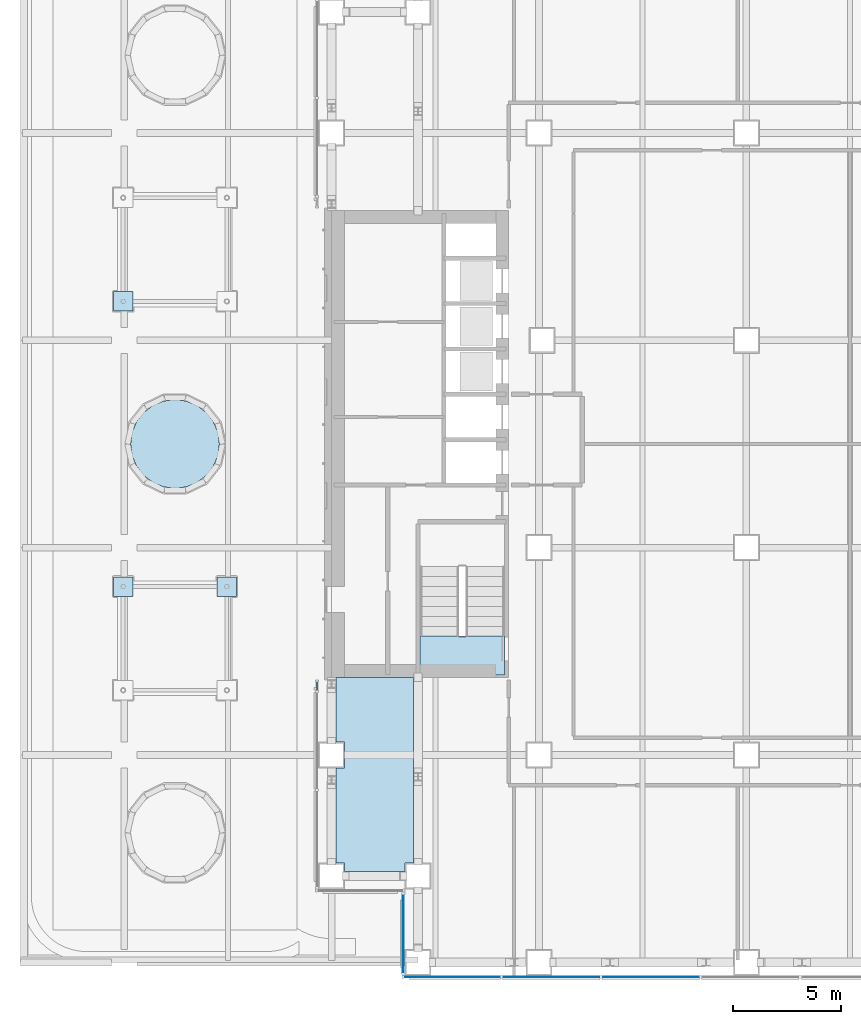
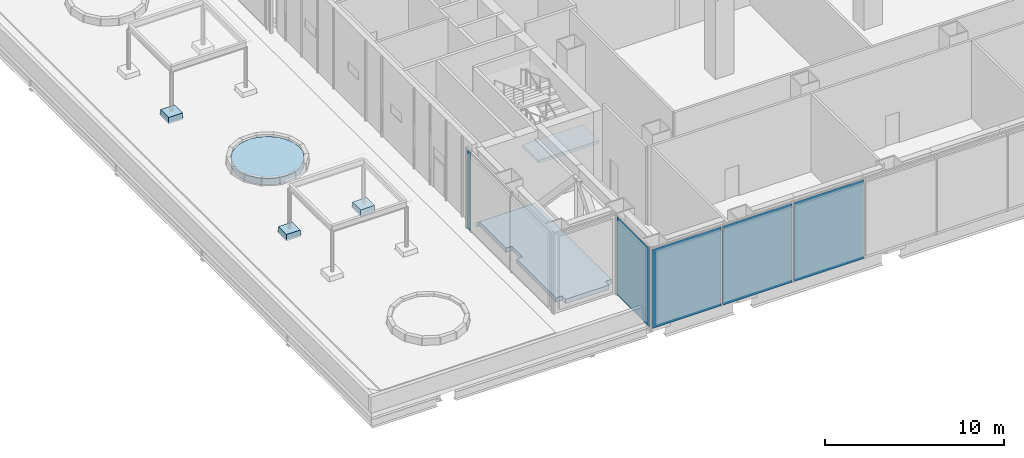
# One storey, part 17 of 39: 6 slabs, 5 plates, 4 elements without a shape of their own.
"""IFC4 building model written with IfcOpenShell, lengths in metres."""

from ifc_helpers import new_model, si_unit, direction, frame, origin, origin_2d, place, context, subcontext, project, spatial, polyline, rectangle, outline, extrude, material, layer, layer_set, type_object, element, aggregate, save


model = new_model("IFC4")

# Units and contexts
model_context = context("Model", 3, precision=1e-05, world=origin(), true_north=direction((0.0, 1.0)))
body_context = subcontext(model_context, "Body", "Model", "MODEL_VIEW")
ifc_project = project(units=[si_unit("LENGTHUNIT", "METRE"), si_unit("AREAUNIT", "SQUARE_METRE"), si_unit("VOLUMEUNIT", "CUBIC_METRE"), si_unit("PLANEANGLEUNIT", "RADIAN"), si_unit("MASSUNIT", "GRAM", prefix="KILO")], contexts=[model_context])

# Site, building, storey
site_placement = place(None, origin())
site = spatial("IfcSite", under=ifc_project, at=site_placement, CompositionType="ELEMENT")
building_placement = place(site_placement, origin())
building = spatial("IfcBuilding", under=site, at=building_placement, Name="Cobrizo Arcos Hotel Tower", CompositionType="ELEMENT")
storey_placement = place(building_placement, frame((0.0, 0.0, 33.5)))
storey = spatial("IfcBuildingStorey", under=building, at=storey_placement, Name="L06", CompositionType="ELEMENT", Elevation=33.5)

# Curtain wall, plates
ifc_material_1 = material(Name="Aluminium 6063-T6 anodised bronze", Category="aluminium")
curtain_wall_type = type_object("IfcCurtainWallType", Name="CW-D plant louvre wall", PredefinedType="NOTDEFINED", material=ifc_material_1)
curtain_wall_1_placement = place(storey_placement, origin())
curtain_wall_1 = element("IfcCurtainWall", 1, at=curtain_wall_1_placement, inside=storey, type_object=curtain_wall_type, Name="CW-D L06 S face", PredefinedType="NOTDEFINED")
ifc_material_2 = material(Name="Aluminium composite panel pale metal", Category="aluminium")
ifc_layer_1 = layer(ifc_material_2, 0.06005859375)
ifc_layer_set_1 = layer_set([ifc_layer_1], Name="CW-D spandrel panel")
plate_type = type_object("IfcPlateType", Name="CW-D spandrel panel", PredefinedType="CURTAIN_PANEL", material=ifc_layer_set_1)
plate_1_placement = place(storey_placement, frame((-18.41943359375, -24.675048828125, 0.0), z_axis=(0.0, 0.0, 1.0), x_axis=(1.0, 0.0, 0.0)))
plate_1 = element("IfcPlate", 2, at=plate_1_placement, type_object=plate_type, Name="CW-D insulated panel 323", PredefinedType="CURTAIN_PANEL", context=body_context, shape_type="SweptSolid", body=[
    extrude(rectangle(XDim=4.461181640625, YDim=0.0400390625, at=origin_2d()), origin(), (0.0, 0.0, 1.0), 5.39990234375),
])
plate_2_placement = place(storey_placement, frame((-13.833251953125, -24.675048828125, 0.0), z_axis=(0.0, 0.0, 1.0), x_axis=(1.0, 0.0, 0.0)))
plate_2 = element("IfcPlate", 3, at=plate_2_placement, type_object=plate_type, Name="CW-D insulated panel 324", PredefinedType="CURTAIN_PANEL", context=body_context, shape_type="SweptSolid", body=[
    extrude(rectangle(XDim=4.51123046875, YDim=0.0400390625, at=origin_2d()), origin(), (0.0, 0.0, 1.0), 5.39990234375),
])
plate_3_placement = place(storey_placement, frame((-9.22216796875, -24.675048828125, 0.0), z_axis=(0.0, 0.0, 1.0), x_axis=(1.0, 0.0, 0.0)))
plate_3 = element("IfcPlate", 4, at=plate_3_placement, type_object=plate_type, Name="CW-D insulated panel 325", PredefinedType="CURTAIN_PANEL", context=body_context, shape_type="SweptSolid", body=[
    extrude(rectangle(XDim=4.51123046875, YDim=0.0400390625, at=origin_2d()), origin(), (0.0, 0.0, 1.0), 5.39990234375),
])
aggregate(curtain_wall_1, [plate_1, plate_2, plate_3])

# Curtain wall, plate
curtain_wall_2_placement = place(storey_placement, origin())
curtain_wall_2 = element("IfcCurtainWall", 5, at=curtain_wall_2_placement, inside=storey, type_object=curtain_wall_type, Name="CW-D L06 W face", PredefinedType="NOTDEFINED")
plate_4_placement = place(storey_placement, frame((-24.675048828125, -11.20947265625, 0.0), z_axis=(0.0, 0.0, 1.0), x_axis=(0.0, -1.0, 0.0)))
plate_4 = element("IfcPlate", 6, at=plate_4_placement, type_object=plate_type, Name="CW-D insulated panel 356", PredefinedType="CURTAIN_PANEL", context=body_context, shape_type="SweptSolid", body=[
    extrude(rectangle(XDim=0.3701171875, YDim=0.0400390625, at=origin_2d()), origin(), (0.0, 0.0, 1.0), 5.39990234375),
])
aggregate(curtain_wall_2, [plate_4])

curtain_wall_3_placement = place(storey_placement, origin())
curtain_wall_3 = element("IfcCurtainWall", 7, at=curtain_wall_3_placement, inside=storey, type_object=curtain_wall_type, Name="CW-D L06 W face", PredefinedType="NOTDEFINED")
plate_5_placement = place(storey_placement, frame((-20.675048828125, -22.675048828125, 0.0), z_axis=(0.0, 0.0, 1.0), x_axis=(0.0, -1.0, 0.0)))
plate_5 = element("IfcPlate", 8, at=plate_5_placement, type_object=plate_type, Name="CW-D insulated panel 360", PredefinedType="CURTAIN_PANEL", context=body_context, shape_type="SweptSolid", body=[
    extrude(rectangle(XDim=3.64990234375, YDim=0.0400390625, at=origin_2d()), origin(), (0.0, 0.0, 1.0), 5.39990234375),
])
aggregate(curtain_wall_3, [plate_5])

# Slabs
ifc_material_3 = material(Name="Concrete f'c 35 MPa", Category="concrete")
ifc_layer_2 = layer(ifc_material_3, 0.300048828125)
ifc_layer_set_2 = layer_set([ifc_layer_2], Name="Composite floor slab 300 f'c 35")
slab_type_1 = type_object("IfcSlabType", Name="Composite floor slab 300 f'c 35", PredefinedType="FLOOR", material=ifc_layer_set_2)
slab_1_placement = place(storey_placement, frame((0.0, 0.0, -0.300048828125)))
element("IfcSlab", 9, at=slab_1_placement, inside=storey, type_object=slab_type_1, Name="Floor slab S2, L06, no. 04", PredefinedType="FLOOR", context=body_context, shape_type="SweptSolid", body=[
    extrude(outline(polyline([(-24.0, -10.800048828125), (-20.200439453125, -10.800048828125), (-20.200439453125, -19.39990234375), (-20.60009765625, -19.39990234375), (-20.60009765625, -19.799560546875), (-23.39990234375, -19.799560546875), (-23.39990234375, -19.39990234375), (-23.799560546875, -19.39990234375), (-23.799560546875, -15.0), (-23.39990234375, -15.0), (-23.39990234375, -13.800048828125), (-23.799560546875, -13.800048828125), (-23.799560546875, -10.801025390625), (-24.0, -10.801025390625), (-24.0, -10.800048828125)])), origin(), (0.0, 0.0, 1.0), 0.300048828125),
])
ifc_layer_3 = layer(ifc_material_3, 0.449951171875)
ifc_layer_set_3 = layer_set([ifc_layer_3], Name="Pavilion column plinth 900 x 900 x 450")
slab_type_2 = type_object("IfcSlabType", Name="Pavilion column plinth 900 x 900 x 450", PredefinedType="BASESLAB", material=ifc_layer_set_3)
slab_2_placement = place(storey_placement, origin())
element("IfcSlab", 10, at=slab_2_placement, inside=storey, type_object=slab_type_2, Name="Pavilion 1 column plinth 3", PredefinedType="BASESLAB", context=body_context, shape_type="SweptSolid", body=[
    extrude(outline(polyline([(-28.39990234375, -7.050048828125), (-28.39990234375, -6.14990234375), (-29.300048828125, -6.14990234375), (-29.300048828125, -7.050048828125), (-28.39990234375, -7.050048828125)])), origin(), (0.0, 0.0, 1.0), 0.449951171875),
])
slab_3_placement = place(storey_placement, origin())
element("IfcSlab", 11, at=slab_3_placement, inside=storey, type_object=slab_type_2, Name="Pavilion 1 column plinth 4", PredefinedType="BASESLAB", context=body_context, shape_type="SweptSolid", body=[
    extrude(outline(polyline([(-33.199951171875, -7.050048828125), (-33.199951171875, -6.14990234375), (-34.10009765625, -6.14990234375), (-34.10009765625, -7.050048828125), (-33.199951171875, -7.050048828125)])), origin(), (0.0, 0.0, 1.0), 0.449951171875),
])
slab_4_placement = place(storey_placement, origin())
element("IfcSlab", 12, at=slab_4_placement, inside=storey, type_object=slab_type_2, Name="Pavilion 2 column plinth 1", PredefinedType="BASESLAB", context=body_context, shape_type="SweptSolid", body=[
    extrude(outline(polyline([(-33.199951171875, 6.14990234375), (-33.199951171875, 7.050048828125), (-34.10009765625, 7.050048828125), (-34.10009765625, 6.14990234375), (-33.199951171875, 6.14990234375)])), origin(), (0.0, 0.0, 1.0), 0.449951171875),
])
ifc_material_4 = material(Name="Planting soil")
ifc_layer_4 = layer(ifc_material_4, 0.449951171875)
ifc_layer_set_4 = layer_set([ifc_layer_4], Name="Planting bed 450")
slab_type_3 = type_object("IfcSlabType", Name="Planting bed 450", PredefinedType="USERDEFINED", material=ifc_layer_set_4)
slab_5_placement = place(storey_placement, origin())
element("IfcSlab", 13, at=slab_5_placement, inside=storey, type_object=slab_type_3, Name="Planter 2 planting bed", ObjectType="PLANTER", PredefinedType="USERDEFINED", context=body_context, shape_type="SweptSolid", body=[
    extrude(outline(polyline([(-29.195068359375, 0.0), (-29.264892578125, 0.531982421875), (-29.47021484375, 1.027587890625), (-29.796875, 1.453125), (-30.222412109375, 1.77978515625), (-30.718017578125, 1.985107421875), (-31.25, 2.054931640625), (-31.781982421875, 1.985107421875), (-32.277587890625, 1.77978515625), (-32.703125, 1.453125), (-33.02978515625, 1.027587890625), (-33.235107421875, 0.531982421875), (-33.304931640625, 0.0), (-33.235107421875, -0.531982421875), (-33.02978515625, -1.027587890625), (-32.703125, -1.453125), (-32.277587890625, -1.77978515625), (-31.781982421875, -1.985107421875), (-31.25, -2.054931640625), (-30.718017578125, -1.985107421875), (-30.222412109375, -1.77978515625), (-29.796875, -1.453125), (-29.47021484375, -1.027587890625), (-29.264892578125, -0.531982421875), (-29.195068359375, 0.0)])), origin(), (0.0, 0.0, 1.0), 0.449951171875),
])

# Stair, slab
ifc_material_5 = material(Name="Concrete f'c 40 MPa", Category="concrete")
stair_type = type_object("IfcStairType", Name="Exit stair", PredefinedType="HALF_TURN_STAIR", material=ifc_material_5)
stair_placement = place(storey_placement, origin())
stair = element("IfcStair", 14, at=stair_placement, inside=storey, type_object=stair_type, Name="L06 Exit stair ST-W", PredefinedType="HALF_TURN_STAIR")
ifc_layer_5 = layer(ifc_material_5, 0.199951171875)
ifc_layer_set_5 = layer_set([ifc_layer_5], Name="Stair landing")
slab_type_4 = type_object("IfcSlabType", Name="Stair landing", PredefinedType="LANDING", material=ifc_layer_set_5)
slab_6_placement = place(storey_placement, frame((0.0, 0.0, 2.550048828125)))
slab_6 = element("IfcSlab", 15, at=slab_6_placement, type_object=slab_type_4, Name="ST-W landing 2", PredefinedType="LANDING", context=body_context, shape_type="SweptSolid", body=[
    extrude(outline(polyline([(-16.0, -10.699951171875), (-16.0, -8.89990234375), (-19.89990234375, -8.89990234375), (-19.89990234375, -10.699951171875), (-16.0, -10.699951171875)])), origin(), (0.0, 0.0, 1.0), 0.199951171875),
])
aggregate(stair, [slab_6])

save(model, "model.ifc")
